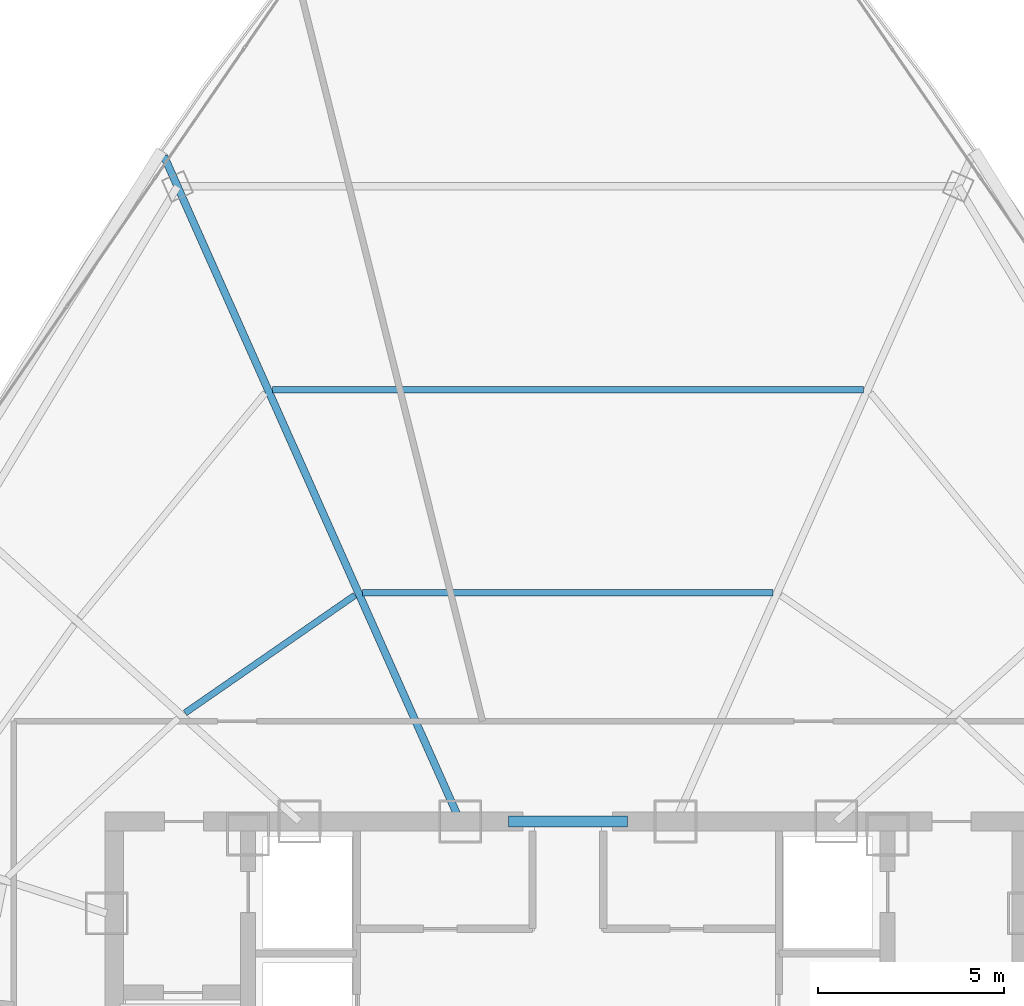
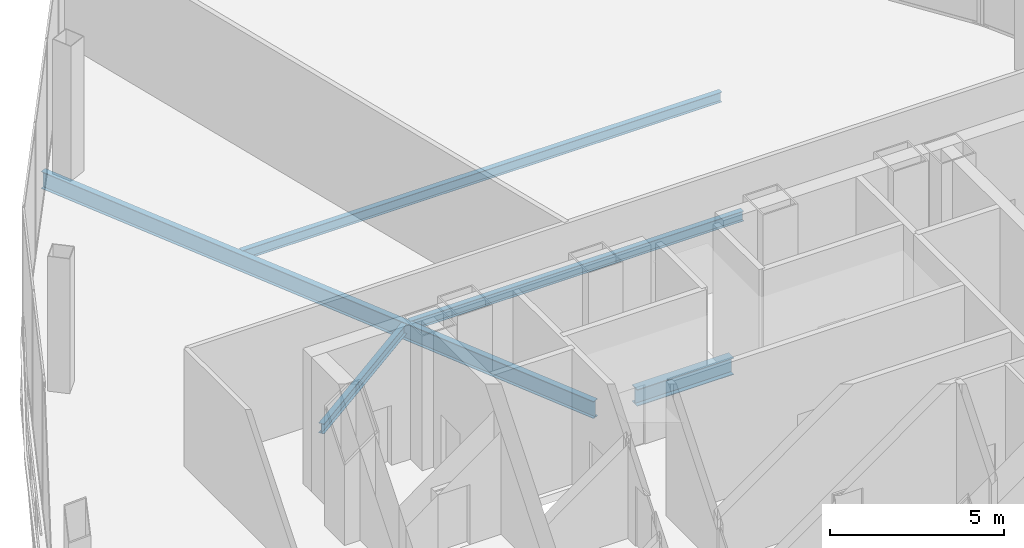
# One storey, part 13 of 32: 5 beams.
"""IFC4 building model written with IfcOpenShell, lengths in metres."""

from ifc_helpers import new_model, si_unit, direction, frame, origin, origin_2d, place, context, subcontext, project, spatial, i_section, extrude, source, transform, mapped, material, material_profile, profile_set, type_object, element, save


model = new_model("IFC4")

# Units and contexts
model_context = context("Model", 3, precision=1e-05, world=origin(), true_north=direction((0.0, 1.0)))
body_context = subcontext(model_context, "Body", "Model", "MODEL_VIEW")
ifc_project = project(units=[si_unit("LENGTHUNIT", "METRE"), si_unit("AREAUNIT", "SQUARE_METRE"), si_unit("VOLUMEUNIT", "CUBIC_METRE"), si_unit("PLANEANGLEUNIT", "RADIAN"), si_unit("MASSUNIT", "GRAM", prefix="KILO"), si_unit("THERMODYNAMICTEMPERATUREUNIT", "KELVIN"), si_unit("POWERUNIT", "WATT")], contexts=[model_context])

# Site, building, storey
site_placement = place(None, origin())
site = spatial("IfcSite", under=ifc_project, at=site_placement, CompositionType="ELEMENT")
building_placement = place(site_placement, origin())
building = spatial("IfcBuilding", under=site, at=building_placement, Name="Yunzhuo Pagoda Commons", CompositionType="ELEMENT")
storey_placement = place(building_placement, frame((0.0, 0.0, 396.760009765625)))
storey = spatial("IfcBuildingStorey", under=building, at=storey_placement, Name="L98", CompositionType="ELEMENT", Elevation=396.760009765625)

# Beams
ifc_material_1 = material(Name="Structural steel Q420B", Category="steel")
ifc_material_profile_1 = material_profile(ifc_material_1, i_section(OverallWidth=0.300048828125, OverallDepth=0.587890625, WebThickness=0.011962890625, FlangeThickness=0.02001953125, at=origin_2d()), Name="Structural steel Q420B")
ifc_profile_set_1 = profile_set([ifc_material_profile_1], Name="Structural steel Q420B")
beam_type_1 = type_object("IfcBeamType", Name="B-CPL Beam HM 588x300x12x20", PredefinedType="BEAM", material=ifc_profile_set_1)
shared_shape_1 = source(origin(), body_context, "Body", "SweptSolid", [
    extrude(i_section(OverallWidth=0.300048828125, OverallDepth=0.587890625, WebThickness=0.011962890625, FlangeThickness=0.02001953125, at=origin_2d()), origin(), (0.0, 0.0, 1.0), 3.2001953125),
])
beam_1_placement = place(storey_placement, frame((46.39990234375, 40.199951171875, -0.573974609375), z_axis=(1.0, 0.0, 0.0), x_axis=(0.0, 1.0, 0.0)))
element("IfcBeam", 1, at=beam_1_placement, inside=storey, type_object=beam_type_1, Name="L98 core coupling girder", PredefinedType="BEAM", context=body_context, shape_type="MappedRepresentation", body=[
    mapped(shared_shape_1, transform((0.0, 0.0, 0.0), scale=1.0)),
])
ifc_material_2 = material(Name="Structural steel Q355B", Category="steel")
ifc_material_profile_2 = material_profile(ifc_material_2, i_section(OverallWidth=0.175048828125, OverallDepth=0.35009765625, WebThickness=0.007080078125, FlangeThickness=0.010986328125, at=origin_2d()), Name="Structural steel Q355B")
ifc_profile_set_2 = profile_set([ifc_material_profile_2], Name="Structural steel Q355B")
beam_type_2 = type_object("IfcBeamType", Name="B-JS2 Joist HN 350x175x7x11", PredefinedType="JOIST", material=ifc_profile_set_2)
shared_shape_2 = source(origin(), body_context, "Body", "SweptSolid", [
    extrude(i_section(OverallWidth=0.175048828125, OverallDepth=0.35009765625, WebThickness=0.007080078125, FlangeThickness=0.010986328125, at=origin_2d()), origin(), (0.0, 0.0, 1.0), 5.556640625),
])
beam_2_placement = place(storey_placement, frame((42.273681640625, 46.28369140625, -0.455078125), z_axis=(-0.822084621883, -0.569365326011, 0.0), x_axis=(0.569365326011, -0.822084621883, 0.0)))
element("IfcBeam", 2, at=beam_2_placement, inside=storey, type_object=beam_type_2, Name="L98 composite ring joist 1.9", PredefinedType="JOIST", context=body_context, shape_type="MappedRepresentation", body=[
    mapped(shared_shape_2, transform((0.0, 0.0, 0.0), scale=1.0)),
])
shared_shape_3 = source(origin(), body_context, "Body", "SweptSolid", [
    extrude(i_section(OverallWidth=0.175048828125, OverallDepth=0.35009765625, WebThickness=0.007080078125, FlangeThickness=0.010986328125, at=origin_2d()), origin(), (0.0, 0.0, 1.0), 11.03369140625),
])
beam_3_placement = place(storey_placement, frame((53.516845703125, 46.34912109375, -0.455078125), z_axis=(-1.0, 0.0, 0.0), x_axis=(0.0, -1.0, 0.0)))
element("IfcBeam", 3, at=beam_3_placement, inside=storey, type_object=beam_type_2, Name="L98 composite ring joist 1.8", PredefinedType="JOIST", context=body_context, shape_type="MappedRepresentation", body=[
    mapped(shared_shape_3, transform((0.0, 0.0, 0.0), scale=1.0)),
])
shared_shape_4 = source(origin(), body_context, "Body", "SweptSolid", [
    extrude(i_section(OverallWidth=0.175048828125, OverallDepth=0.35009765625, WebThickness=0.007080078125, FlangeThickness=0.010986328125, at=origin_2d()), origin(), (0.0, 0.0, 1.0), 15.900390625),
])
beam_4_placement = place(storey_placement, frame((55.9501953125, 51.81494140625, -0.455078125), z_axis=(-1.0, 0.0, 0.0), x_axis=(0.0, -1.0, 0.0)))
element("IfcBeam", 4, at=beam_4_placement, inside=storey, type_object=beam_type_2, Name="L98 composite ring joist 2.8", PredefinedType="JOIST", context=body_context, shape_type="MappedRepresentation", body=[
    mapped(shared_shape_4, transform((0.0, 0.0, 0.0), scale=1.0)),
])
ifc_material_profile_3 = material_profile(ifc_material_2, i_section(OverallWidth=0.199951171875, OverallDepth=0.60009765625, WebThickness=0.010986328125, FlangeThickness=0.01708984375, at=origin_2d()), Name="Structural steel Q355B")
ifc_profile_set_3 = profile_set([ifc_material_profile_3], Name="Structural steel Q355B")
beam_type_3 = type_object("IfcBeamType", Name="B-RG3 Beam HN 600x200x11x17", PredefinedType="BEAM", material=ifc_profile_set_3)
shared_shape_5 = source(origin(), body_context, "Body", "SweptSolid", [
    extrude(i_section(OverallWidth=0.199951171875, OverallDepth=0.60009765625, WebThickness=0.010986328125, FlangeThickness=0.01708984375, at=origin_2d()), origin(), (0.0, 0.0, 1.0), 19.59228515625),
])
beam_5_placement = place(storey_placement, frame((37.13720703125, 58.098388671875, -0.580078125), z_axis=(0.406730347382, -0.91354826064, 0.0), x_axis=(0.91354826064, 0.406730347382, 0.0)))
element("IfcBeam", 5, at=beam_5_placement, inside=storey, type_object=beam_type_3, Name="L98 radial floor girder F3C1", PredefinedType="BEAM", context=body_context, shape_type="MappedRepresentation", body=[
    mapped(shared_shape_5, transform((0.0, 0.0, 0.0), scale=1.0)),
])

save(model, "model.ifc")
